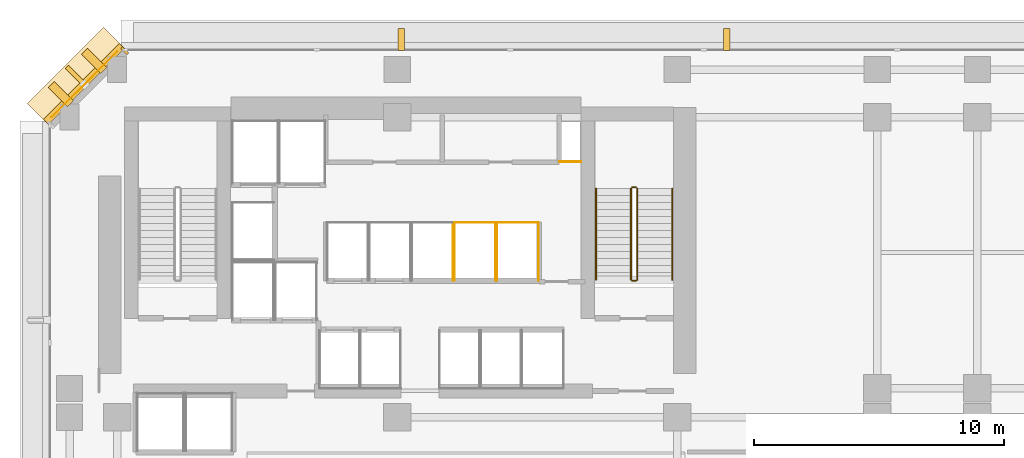
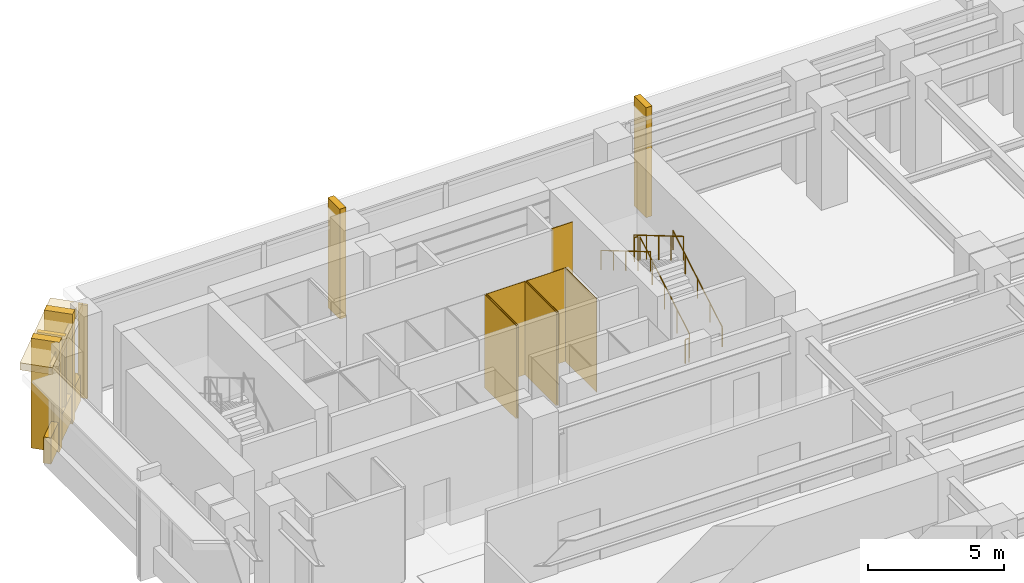
# One storey, part 14 of 16: 16 coverings, 6 railings, 1 shading device.
"""IFC4 building model written with IfcOpenShell, lengths in metres."""

from ifc_helpers import new_model, si_unit, direction, frame, origin, origin_2d, place, context, subcontext, project, spatial, polyline, rectangle, circle, outline, extrude, material, layer, layer_set, material_profile, profile_set, type_object, element, save


model = new_model("IFC4")

# Units and contexts
model_context = context("Model", 3, precision=1e-05, world=origin(), true_north=direction((0.0, 1.0)))
body_context = subcontext(model_context, "Body", "Model", "MODEL_VIEW")
ifc_project = project(units=[si_unit("LENGTHUNIT", "METRE"), si_unit("AREAUNIT", "SQUARE_METRE"), si_unit("VOLUMEUNIT", "CUBIC_METRE"), si_unit("PLANEANGLEUNIT", "RADIAN"), si_unit("MASSUNIT", "GRAM", prefix="KILO")], contexts=[model_context])

# Site, building, storey
site_placement = place(None, origin())
site = spatial("IfcSite", under=ifc_project, at=site_placement, CompositionType="ELEMENT")
building_placement = place(site_placement, origin())
building = spatial("IfcBuilding", under=site, at=building_placement, Name="Kefirva Bronze Tower", CompositionType="ELEMENT")
storey_placement = place(building_placement, frame((0.0, 0.0, 21.1201171875)))
storey = spatial("IfcBuildingStorey", under=building, at=storey_placement, Name="L04", CompositionType="ELEMENT", Elevation=21.1201171875)

# Coverings
ifc_material_1 = material(Name="Bronze anodised aluminium", Category="aluminium")
ifc_layer_1 = layer(ifc_material_1, 0.02001953125, Name="Bronze anodised aluminium")
ifc_layer_set_1 = layer_set([ifc_layer_1], Name="Bronze anodised aluminium")
covering_type_1 = type_object("IfcCoveringType", Name="Anodised Bronze Spandrel Cladding 20mm", PredefinedType="CLADDING", material=ifc_layer_set_1)
covering_1_placement = place(storey_placement, frame((-0.507080078125, 46.507080078125, 3.780029296875), z_axis=(0.0, 0.0, 1.0), x_axis=(-0.707106781187, -0.707106781187, 0.0)))
element("IfcCovering", 1, at=covering_1_placement, inside=storey, type_object=covering_type_1, Name="L04 Bronze Spandrel Cladding 6", PredefinedType="CLADDING", context=body_context, shape_type="SweptSolid", body=[
    extrude(rectangle(XDim=3.719482421875, YDim=0.02001953125, at=origin_2d()), origin(), (0.0, 0.0, 1.0), 0.39990234375),
])
covering_2_placement = place(storey_placement, frame((1.1025390625, 47.847900390625, 0.0), z_axis=(0.0, 0.0, 1.0), x_axis=(-0.707106781187, -0.707106781187, 0.0)))
element("IfcCovering", 2, at=covering_2_placement, inside=storey, type_object=covering_type_1, Name="L04 Facade Joint Closure Panel 6S", PredefinedType="CLADDING", context=body_context, shape_type="SweptSolid", body=[
    extrude(rectangle(XDim=0.10009765625, YDim=0.360107421875, at=origin_2d()), origin(), (0.0, 0.0, 1.0), 4.199951171875),
])
covering_3_placement = place(storey_placement, frame((-0.5283203125, 46.5283203125, -0.16015625), z_axis=(0.0, 0.0, 1.0), x_axis=(-0.707106781187, -0.707106781187, 0.0)))
element("IfcCovering", 3, at=covering_3_placement, inside=storey, type_object=covering_type_1, Name="L04 Streamline Horizontal Spandrel Band 9", PredefinedType="CLADDING", context=body_context, shape_type="SweptSolid", body=[
    extrude(rectangle(XDim=4.28271484375, YDim=0.280029296875, at=origin_2d()), origin(), (0.0, 0.0, 1.0), 1.179931640625),
])
covering_4_placement = place(storey_placement, origin())
element("IfcCovering", 4, at=covering_4_placement, inside=storey, type_object=covering_type_1, Name="L04 Lift MP3 Hoistway Liner E", PredefinedType="CLADDING", context=body_context, shape_type="SweptSolid", body=[
    extrude(outline(polyline([(14.219970703125, 38.659912109375), (14.239990234375, 38.659912109375), (14.239990234375, 41.0), (14.219970703125, 41.0), (14.219970703125, 38.659912109375)])), origin(), (0.0, 0.0, 1.0), 4.199951171875),
])
covering_5_placement = place(storey_placement, origin())
element("IfcCovering", 5, at=covering_5_placement, inside=storey, type_object=covering_type_1, Name="L04 Lift MP4 Hoistway Liner N", PredefinedType="CLADDING", context=body_context, shape_type="SweptSolid", body=[
    extrude(outline(polyline([(14.280029296875, 40.969970703125), (15.949951171875, 40.969970703125), (15.949951171875, 40.989990234375), (14.280029296875, 40.989990234375), (14.280029296875, 40.969970703125)])), origin(), (0.0, 0.0, 1.0), 4.199951171875),
])
covering_6_placement = place(storey_placement, origin())
element("IfcCovering", 6, at=covering_6_placement, inside=storey, type_object=covering_type_1, Name="L04 Lift MP4 Hoistway Liner W", PredefinedType="CLADDING", context=body_context, shape_type="SweptSolid", body=[
    extrude(outline(polyline([(14.2900390625, 38.659912109375), (14.31005859375, 38.659912109375), (14.31005859375, 41.0), (14.2900390625, 41.0), (14.2900390625, 38.659912109375)])), origin(), (0.0, 0.0, 1.0), 4.199951171875),
])
covering_7_placement = place(storey_placement, origin())
element("IfcCovering", 7, at=covering_7_placement, inside=storey, type_object=covering_type_1, Name="L04 Lift MP4 Hoistway Liner E", PredefinedType="CLADDING", context=body_context, shape_type="SweptSolid", body=[
    extrude(outline(polyline([(15.919921875, 38.659912109375), (15.93994140625, 38.659912109375), (15.93994140625, 41.0), (15.919921875, 41.0), (15.919921875, 38.659912109375)])), origin(), (0.0, 0.0, 1.0), 4.199951171875),
])
covering_8_placement = place(storey_placement, origin())
element("IfcCovering", 8, at=covering_8_placement, inside=storey, type_object=covering_type_1, Name="L04 Lift HP2 Hoistway Liner N", PredefinedType="CLADDING", context=body_context, shape_type="SweptSolid", body=[
    extrude(outline(polyline([(15.97998046875, 40.969970703125), (17.669921875, 40.969970703125), (17.669921875, 40.989990234375), (15.97998046875, 40.989990234375), (15.97998046875, 40.969970703125)])), origin(), (0.0, 0.0, 1.0), 4.199951171875),
])
covering_9_placement = place(storey_placement, origin())
element("IfcCovering", 9, at=covering_9_placement, inside=storey, type_object=covering_type_1, Name="L04 Lift HP2 Hoistway Liner W", PredefinedType="CLADDING", context=body_context, shape_type="SweptSolid", body=[
    extrude(outline(polyline([(15.989990234375, 38.659912109375), (16.010009765625, 38.659912109375), (16.010009765625, 41.0), (15.989990234375, 41.0), (15.989990234375, 38.659912109375)])), origin(), (0.0, 0.0, 1.0), 4.199951171875),
])
covering_10_placement = place(storey_placement, origin())
element("IfcCovering", 10, at=covering_10_placement, inside=storey, type_object=covering_type_1, Name="L04 Lift HP2 Hoistway Liner E", PredefinedType="CLADDING", context=body_context, shape_type="SweptSolid", body=[
    extrude(outline(polyline([(17.639892578125, 38.659912109375), (17.659912109375, 38.659912109375), (17.659912109375, 41.0), (17.639892578125, 41.0), (17.639892578125, 38.659912109375)])), origin(), (0.0, 0.0, 1.0), 4.199951171875),
])
covering_11_placement = place(storey_placement, origin())
element("IfcCovering", 11, at=covering_11_placement, inside=storey, type_object=covering_type_1, Name="L04 Core MEP Riser Shaft Liner South", PredefinedType="CLADDING", context=body_context, shape_type="SweptSolid", body=[
    extrude(outline(polyline([(18.47998046875, 43.39990234375), (19.360107421875, 43.39990234375), (19.360107421875, 43.429931640625), (18.47998046875, 43.429931640625), (18.47998046875, 43.39990234375)])), origin(), (0.0, 0.0, 1.0), 4.199951171875),
])

# Shading device
ifc_material_profile = material_profile(ifc_material_1, rectangle(XDim=0.179931640625, YDim=1.080078125, at=origin_2d()), Name="BRONZE BUTTRESS FIN 180x1080")
ifc_profile_set = profile_set([ifc_material_profile], Name="Bronze anodised aluminium")
shading_device_type = type_object("IfcShadingDeviceType", Name="Chamfered Corner Buttress Bronze Fin 1080mm", PredefinedType="USERDEFINED", material=ifc_profile_set)
shading_device_placement = place(storey_placement, frame((-0.8251953125, 46.8251953125, -0.14013671875), z_axis=(0.0, 0.0, 1.0), x_axis=(-0.707106781187, -0.707106781187, 0.0)))
element("IfcShadingDevice", 12, at=shading_device_placement, inside=storey, type_object=shading_device_type, Name="L04 Chamfered Corner Buttress Fin 26", ObjectType="VERTICAL FIN", PredefinedType="USERDEFINED", context=body_context, shape_type="SweptSolid", body=[
    extrude(rectangle(XDim=0.179931640625, YDim=1.080078125, at=origin_2d()), origin(), (0.0, 0.0, 1.0), 4.340087890625),
])

# Railings
ifc_material_2 = material(Name="Stainless steel 316", Category="steel")
railing_type_1 = type_object("IfcRailingType", Name="Interior Stair Guardrail 1100mm", PredefinedType="GUARDRAIL", material=ifc_material_2)
railing_1_placement = place(storey_placement, frame((21.60009765625, 38.699951171875, 0.164794921875)))
element("IfcRailing", 13, at=railing_1_placement, inside=storey, type_object=railing_type_1, Name="L04 ST-2 stair guard 1", PredefinedType="GUARDRAIL", context=body_context, shape_type="SweptSolid", body=[
    extrude(circle(Radius=0.02392578125, at=origin_2d()), frame((0.0, 0.0, 1.076171875), z_axis=(0.0, 0.861544779993, 0.507681585313), x_axis=(-1.0, 0.0, 0.0)), (0.0, 0.0, 1.0), 4.22509765625),
    extrude(circle(Radius=0.02099609375, at=origin_2d()), origin(), (0.0, 0.0, 1.0), 1.052001953125),
    extrude(circle(Radius=0.02099609375, at=origin_2d()), frame((0.0, 0.91015625, 0.5361328125)), (0.0, 0.0, 1.0), 1.052001953125),
    extrude(circle(Radius=0.02099609375, at=origin_2d()), frame((0.0, 1.820068359375, 1.072509765625)), (0.0, 0.0, 1.0), 1.052001953125),
    extrude(circle(Radius=0.02099609375, at=origin_2d()), frame((0.0, 2.72998046875, 1.60888671875)), (0.0, 0.0, 1.0), 1.052001953125),
    extrude(circle(Radius=0.02099609375, at=origin_2d()), frame((0.0, 3.64013671875, 2.14501953125)), (0.0, 0.0, 1.0), 1.052001953125),
])
railing_2_placement = place(storey_placement, frame((21.550048828125, 42.389892578125, 2.309814453125)))
element("IfcRailing", 14, at=railing_2_placement, inside=storey, type_object=railing_type_1, Name="L04 ST-2 stair guard 2", PredefinedType="GUARDRAIL", context=body_context, shape_type="SweptSolid", body=[
    extrude(circle(Radius=0.02392578125, at=origin_2d()), frame((0.0, 0.0, 1.076171875), z_axis=(-1.0, 0.0, 0.0), x_axis=(0.0, -1.0, 0.0)), (0.0, 0.0, 1.0), 0.150146484375),
    extrude(circle(Radius=0.02099609375, at=origin_2d()), origin(), (0.0, 0.0, 1.0), 1.052001953125),
    extrude(circle(Radius=0.02099609375, at=origin_2d()), frame((-0.150146484375, 0.0, 0.0)), (0.0, 0.0, 1.0), 1.052001953125),
])
railing_3_placement = place(storey_placement, frame((21.35009765625, 42.340087890625, 2.474853515625)))
element("IfcRailing", 15, at=railing_3_placement, inside=storey, type_object=railing_type_1, Name="L04 ST-2 stair guard 3", PredefinedType="GUARDRAIL", context=body_context, shape_type="SweptSolid", body=[
    extrude(circle(Radius=0.02392578125, at=origin_2d()), frame((0.0, 0.0, 1.076171875), z_axis=(0.0, -0.861544779993, 0.507681585313), x_axis=(1.0, 0.0, 0.0)), (0.0, 0.0, 1.0), 4.22509765625),
    extrude(circle(Radius=0.02099609375, at=origin_2d()), origin(), (0.0, 0.0, 1.0), 1.052001953125),
    extrude(circle(Radius=0.02099609375, at=origin_2d()), frame((0.0, -0.91015625, 0.5361328125)), (0.0, 0.0, 1.0), 1.052001953125),
    extrude(circle(Radius=0.02099609375, at=origin_2d()), frame((0.0, -1.820068359375, 1.072509765625)), (0.0, 0.0, 1.0), 1.052001953125),
    extrude(circle(Radius=0.02099609375, at=origin_2d()), frame((0.0, -2.72998046875, 1.60888671875)), (0.0, 0.0, 1.0), 1.052001953125),
    extrude(circle(Radius=0.02099609375, at=origin_2d()), frame((0.0, -3.64013671875, 2.14501953125)), (0.0, 0.0, 1.0), 1.052001953125),
])
railing_4_placement = place(storey_placement, frame((21.550048828125, 38.64990234375, 0.0)))
element("IfcRailing", 16, at=railing_4_placement, inside=storey, type_object=railing_type_1, Name="L04 ST-2 stair guard 4", PredefinedType="GUARDRAIL", context=body_context, shape_type="SweptSolid", body=[
    extrude(circle(Radius=0.02392578125, at=origin_2d()), frame((0.0, 0.0, 1.076171875), z_axis=(-1.0, 0.0, 0.0), x_axis=(0.0, -1.0, 0.0)), (0.0, 0.0, 1.0), 0.150146484375),
    extrude(circle(Radius=0.02099609375, at=origin_2d()), origin(), (0.0, 0.0, 1.0), 1.052001953125),
    extrude(circle(Radius=0.02099609375, at=origin_2d()), frame((-0.150146484375, 0.0, 0.0)), (0.0, 0.0, 1.0), 1.052001953125),
])
railing_type_2 = type_object("IfcRailingType", Name="Stair Pitch Handrail 900mm", PredefinedType="HANDRAIL", material=ifc_material_2)
railing_5_placement = place(storey_placement, frame((23.0, 38.699951171875, 0.164794921875)))
element("IfcRailing", 17, at=railing_5_placement, inside=storey, type_object=railing_type_2, Name="L04 ST-2 stair handrail 1", PredefinedType="HANDRAIL", context=body_context, shape_type="SweptSolid", body=[
    extrude(circle(Radius=0.02392578125, at=origin_2d()), frame((0.0, 0.0, 0.8759765625), z_axis=(0.0, 0.861544779993, 0.507681585313), x_axis=(-1.0, 0.0, 0.0)), (0.0, 0.0, 1.0), 4.22509765625),
    extrude(circle(Radius=0.02099609375, at=origin_2d()), origin(), (0.0, 0.0, 1.0), 0.851806640625),
    extrude(circle(Radius=0.02099609375, at=origin_2d()), frame((0.0, 0.91015625, 0.5361328125)), (0.0, 0.0, 1.0), 0.851806640625),
    extrude(circle(Radius=0.02099609375, at=origin_2d()), frame((0.0, 1.820068359375, 1.072509765625)), (0.0, 0.0, 1.0), 0.851806640625),
    extrude(circle(Radius=0.02099609375, at=origin_2d()), frame((0.0, 2.72998046875, 1.60888671875)), (0.0, 0.0, 1.0), 0.851806640625),
    extrude(circle(Radius=0.02099609375, at=origin_2d()), frame((0.0, 3.64013671875, 2.14501953125)), (0.0, 0.0, 1.0), 0.851806640625),
])
railing_6_placement = place(storey_placement, frame((19.949951171875, 42.340087890625, 2.474853515625)))
element("IfcRailing", 18, at=railing_6_placement, inside=storey, type_object=railing_type_2, Name="L04 ST-2 stair handrail 2", PredefinedType="HANDRAIL", context=body_context, shape_type="SweptSolid", body=[
    extrude(circle(Radius=0.02392578125, at=origin_2d()), frame((0.0, 0.0, 0.8759765625), z_axis=(0.0, -0.861544779993, 0.507681585313), x_axis=(1.0, 0.0, 0.0)), (0.0, 0.0, 1.0), 4.22509765625),
    extrude(circle(Radius=0.02099609375, at=origin_2d()), origin(), (0.0, 0.0, 1.0), 0.851806640625),
    extrude(circle(Radius=0.02099609375, at=origin_2d()), frame((0.0, -0.91015625, 0.5361328125)), (0.0, 0.0, 1.0), 0.851806640625),
    extrude(circle(Radius=0.02099609375, at=origin_2d()), frame((0.0, -1.820068359375, 1.072509765625)), (0.0, 0.0, 1.0), 0.851806640625),
    extrude(circle(Radius=0.02099609375, at=origin_2d()), frame((0.0, -2.72998046875, 1.60888671875)), (0.0, 0.0, 1.0), 0.851806640625),
    extrude(circle(Radius=0.02099609375, at=origin_2d()), frame((0.0, -3.64013671875, 2.14501953125)), (0.0, 0.0, 1.0), 0.851806640625),
])

# Coverings
ifc_layer_2 = layer(ifc_material_1, 0.179931640625, Name="Bronze anodised aluminium")
ifc_layer_set_2 = layer_set([ifc_layer_2], Name="Bronze anodised aluminium")
covering_type_2 = type_object("IfcCoveringType", Name="Streamline Bronze Sunshade Eyebrow Cladding 180mm", PredefinedType="CLADDING", material=ifc_layer_set_2)
covering_12_placement = place(storey_placement, frame((-0.8251953125, 46.8251953125, 3.8798828125), z_axis=(0.0, 0.0, 1.0), x_axis=(-0.707106781187, -0.707106781187, 0.0)))
element("IfcCovering", 19, at=covering_12_placement, inside=storey, type_object=covering_type_2, Name="L04 Streamline Bronze Sunshade Eyebrow 9", PredefinedType="CLADDING", context=body_context, shape_type="SweptSolid", body=[
    extrude(rectangle(XDim=4.322509765625, YDim=1.239990234375, at=origin_2d()), origin(), (0.0, 0.0, 1.0), 0.320068359375),
])
ifc_layer_3 = layer(ifc_material_1, 0.260009765625, Name="Bronze anodised aluminium")
ifc_layer_set_3 = layer_set([ifc_layer_3], Name="Bronze anodised aluminium")
covering_type_3 = type_object("IfcCoveringType", Name="Unbroken Bronze Buttress Fin Cladding 260mm", PredefinedType="CLADDING", material=ifc_layer_set_3)
for number, where, z_axis, x_axis, name in (
    (20, (25.179931640625, 48.300048828125, -0.320068359375), (0.0, 0.0, 1.0), (-1.0, 0.0, 0.0), "L04 Unbroken Vertical Bronze Rib Fin 23"),
    (21, (12.159912109375, 48.300048828125, -0.320068359375), (0.0, 0.0, 1.0), (-1.0, 0.0, 0.0), "L04 Unbroken Vertical Bronze Rib Fin 24"),
):
    element("IfcCovering", number, at=place(storey_placement, frame(where, z_axis=z_axis, x_axis=x_axis)), inside=storey, type_object=covering_type_3, Name=name, PredefinedType="CLADDING", context=body_context, shape_type="SweptSolid", body=[
        extrude(rectangle(XDim=0.260009765625, YDim=0.8798828125, at=origin_2d()), origin(), (0.0, 0.0, 1.0), 4.93994140625),
    ])
for number, where, z_axis, x_axis, name in (
    (22, (-0.122802734375, 47.44287109375, -0.320068359375), (0.0, 0.0, 1.0), (-0.707106781187, -0.707106781187, 0.0), "L04 Chamfered Corner Buttress Fin Cladding 25"),
    (23, (-1.44287109375, 46.122802734375, -0.320068359375), (0.0, 0.0, 1.0), (-0.707106781187, -0.707106781187, 0.0), "L04 Chamfered Corner Buttress Fin Cladding 26"),
):
    element("IfcCovering", number, at=place(storey_placement, frame(where, z_axis=z_axis, x_axis=x_axis)), inside=storey, type_object=covering_type_3, Name=name, PredefinedType="CLADDING", context=body_context, shape_type="SweptSolid", body=[
        extrude(rectangle(XDim=0.340087890625, YDim=1.080078125, at=origin_2d()), origin(), (0.0, 0.0, 1.0), 4.93994140625),
    ])

save(model, "model.ifc")
